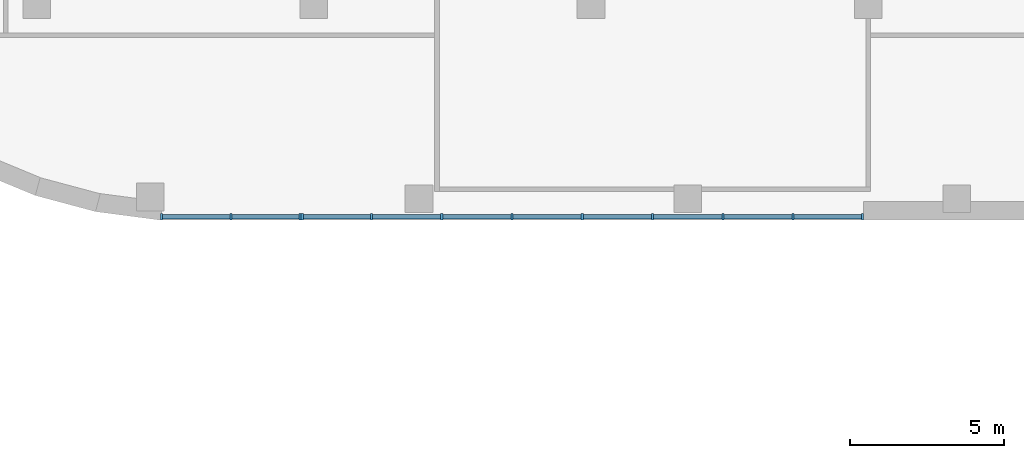
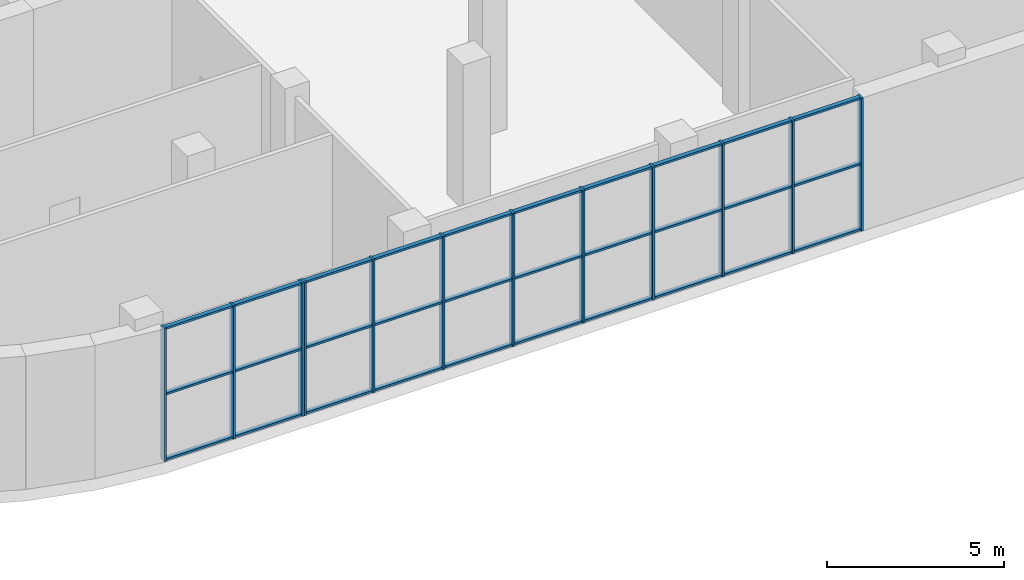
# One storey, part 6 of 25: 42 members, 2 elements without a shape of their own.
"""IFC4 building model written with IfcOpenShell, lengths in metres."""

from ifc_helpers import new_model, si_unit, direction, frame, origin, origin_2d, place, context, subcontext, project, spatial, rectangle, extrude, material, material_profile, profile_set, type_object, element, aggregate, save


model = new_model("IFC4")

# Units and contexts
model_context = context("Model", 3, precision=1e-05, world=origin(), true_north=direction((0.0, 1.0)))
body_context = subcontext(model_context, "Body", "Model", "MODEL_VIEW")
ifc_project = project(units=[si_unit("LENGTHUNIT", "METRE"), si_unit("AREAUNIT", "SQUARE_METRE"), si_unit("VOLUMEUNIT", "CUBIC_METRE"), si_unit("PLANEANGLEUNIT", "RADIAN"), si_unit("MASSUNIT", "GRAM", prefix="KILO")], contexts=[model_context])

# Site, building, storey
site_placement = place(None, origin())
site = spatial("IfcSite", under=ifc_project, at=site_placement, CompositionType="ELEMENT")
building_placement = place(site_placement, origin())
building = spatial("IfcBuilding", under=site, at=building_placement, Name="Skarvind Civic Tower", CompositionType="ELEMENT")
storey_placement = place(building_placement, frame((0.0, 0.0, 7.5)))
storey = spatial("IfcBuildingStorey", under=building, at=storey_placement, Name="L01", CompositionType="ELEMENT", Elevation=7.5)

# Curtain wall, members
ifc_material_1 = material(Name="Aluminium alloy 6063 and laminated glass", Category="aluminium")
curtain_wall_type = type_object("IfcCurtainWallType", Name="CW6 COMPANION TOWER LOBBY GLAZING", PredefinedType="NOTDEFINED", material=ifc_material_1)
curtain_wall_1_placement = place(storey_placement, origin())
curtain_wall_1 = element("IfcCurtainWall", 1, at=curtain_wall_1_placement, inside=storey, type_object=curtain_wall_type, Name="COMPANION TOWER LOBBY GLAZING", PredefinedType="NOTDEFINED")
ifc_material_2 = material(Name="Aluminium alloy 6063", Category="aluminium")
ifc_material_profile_1 = material_profile(ifc_material_2, rectangle(XDim=0.219970703125, YDim=0.070068359375, at=origin_2d()), Name="AL 70x220")
ifc_profile_set_1 = profile_set([ifc_material_profile_1], Name="Aluminium alloy 6063")
member_type_1 = type_object("IfcMemberType", Name="CW6 MULLION 70x220", PredefinedType="MULLION", material=ifc_profile_set_1)
member_1_placement = place(storey_placement, frame((153.812744140625, 102.110107421875, 0.0), z_axis=(0.0, 0.0, 1.0), x_axis=(0.0, -1.0, 0.0)))
member_1 = element("IfcMember", 2, at=member_1_placement, type_object=member_type_1, Name="CW6 mullion 1", PredefinedType="MULLION", context=body_context, shape_type="SweptSolid", body=[
    extrude(rectangle(XDim=0.219970703125, YDim=0.070068359375, at=origin_2d()), origin(), (0.0, 0.0, 1.0), 4.60009765625),
])
member_2_placement = place(storey_placement, frame((151.565185546875, 102.110107421875, 0.0), z_axis=(0.0, 0.0, 1.0), x_axis=(0.0, -1.0, 0.0)))
member_2 = element("IfcMember", 3, at=member_2_placement, type_object=member_type_1, Name="CW6 mullion 2", PredefinedType="MULLION", context=body_context, shape_type="SweptSolid", body=[
    extrude(rectangle(XDim=0.219970703125, YDim=0.070068359375, at=origin_2d()), origin(), (0.0, 0.0, 1.0), 4.60009765625),
])
member_3_placement = place(storey_placement, frame((149.28271484375, 102.110107421875, 0.0), z_axis=(0.0, 0.0, 1.0), x_axis=(0.0, -1.0, 0.0)))
member_3 = element("IfcMember", 4, at=member_3_placement, type_object=member_type_1, Name="CW6 mullion 3", PredefinedType="MULLION", context=body_context, shape_type="SweptSolid", body=[
    extrude(rectangle(XDim=0.219970703125, YDim=0.070068359375, at=origin_2d()), origin(), (0.0, 0.0, 1.0), 4.60009765625),
])
member_4_placement = place(storey_placement, frame((147.0, 102.110107421875, 0.0), z_axis=(0.0, 0.0, 1.0), x_axis=(0.0, -1.0, 0.0)))
member_4 = element("IfcMember", 5, at=member_4_placement, type_object=member_type_1, Name="CW6 mullion 4", PredefinedType="MULLION", context=body_context, shape_type="SweptSolid", body=[
    extrude(rectangle(XDim=0.219970703125, YDim=0.070068359375, at=origin_2d()), origin(), (0.0, 0.0, 1.0), 4.60009765625),
])
member_5_placement = place(storey_placement, frame((144.71728515625, 102.110107421875, 0.0), z_axis=(0.0, 0.0, 1.0), x_axis=(0.0, -1.0, 0.0)))
member_5 = element("IfcMember", 6, at=member_5_placement, type_object=member_type_1, Name="CW6 mullion 5", PredefinedType="MULLION", context=body_context, shape_type="SweptSolid", body=[
    extrude(rectangle(XDim=0.219970703125, YDim=0.070068359375, at=origin_2d()), origin(), (0.0, 0.0, 1.0), 4.60009765625),
])
member_6_placement = place(storey_placement, frame((142.434814453125, 102.110107421875, 0.0), z_axis=(0.0, 0.0, 1.0), x_axis=(0.0, -1.0, 0.0)))
member_6 = element("IfcMember", 7, at=member_6_placement, type_object=member_type_1, Name="CW6 mullion 6", PredefinedType="MULLION", context=body_context, shape_type="SweptSolid", body=[
    extrude(rectangle(XDim=0.219970703125, YDim=0.070068359375, at=origin_2d()), origin(), (0.0, 0.0, 1.0), 4.60009765625),
])
member_7_placement = place(storey_placement, frame((140.152099609375, 102.110107421875, 0.0), z_axis=(0.0, 0.0, 1.0), x_axis=(0.0, -1.0, 0.0)))
member_7 = element("IfcMember", 8, at=member_7_placement, type_object=member_type_1, Name="CW6 mullion 7", PredefinedType="MULLION", context=body_context, shape_type="SweptSolid", body=[
    extrude(rectangle(XDim=0.219970703125, YDim=0.070068359375, at=origin_2d()), origin(), (0.0, 0.0, 1.0), 4.60009765625),
])
member_8_placement = place(storey_placement, frame((137.86962890625, 102.110107421875, 0.0), z_axis=(0.0, 0.0, 1.0), x_axis=(0.0, -1.0, 0.0)))
member_8 = element("IfcMember", 9, at=member_8_placement, type_object=member_type_1, Name="CW6 mullion 8", PredefinedType="MULLION", context=body_context, shape_type="SweptSolid", body=[
    extrude(rectangle(XDim=0.219970703125, YDim=0.070068359375, at=origin_2d()), origin(), (0.0, 0.0, 1.0), 4.60009765625),
])
member_9_placement = place(storey_placement, frame((135.6220703125, 102.110107421875, 0.0), z_axis=(0.0, 0.0, 1.0), x_axis=(0.0, -1.0, 0.0)))
member_9 = element("IfcMember", 10, at=member_9_placement, type_object=member_type_1, Name="CW6 mullion 9", PredefinedType="MULLION", context=body_context, shape_type="SweptSolid", body=[
    extrude(rectangle(XDim=0.219970703125, YDim=0.070068359375, at=origin_2d()), origin(), (0.0, 0.0, 1.0), 4.60009765625),
])

curtain_wall_2_placement = place(storey_placement, origin())
curtain_wall_2 = element("IfcCurtainWall", 11, at=curtain_wall_2_placement, inside=storey, type_object=curtain_wall_type, Name="COMPANION TOWER LOBBY GLAZING", PredefinedType="NOTDEFINED")
member_10_placement = place(storey_placement, frame((135.552001953125, 102.110107421875, 0.0), z_axis=(0.0, 0.0, 1.0), x_axis=(0.0, -1.0, 0.0)))
member_10 = element("IfcMember", 12, at=member_10_placement, type_object=member_type_1, Name="CW6 mullion 1", PredefinedType="MULLION", context=body_context, shape_type="SweptSolid", body=[
    extrude(rectangle(XDim=0.219970703125, YDim=0.070068359375, at=origin_2d()), origin(), (0.0, 0.0, 1.0), 4.60009765625),
])
member_11_placement = place(storey_placement, frame((133.304443359375, 102.110107421875, 0.0), z_axis=(0.0, 0.0, 1.0), x_axis=(0.0, -1.0, 0.0)))
member_11 = element("IfcMember", 13, at=member_11_placement, type_object=member_type_1, Name="CW6 mullion 2", PredefinedType="MULLION", context=body_context, shape_type="SweptSolid", body=[
    extrude(rectangle(XDim=0.219970703125, YDim=0.070068359375, at=origin_2d()), origin(), (0.0, 0.0, 1.0), 4.60009765625),
])
member_12_placement = place(storey_placement, frame((131.056884765625, 102.110107421875, 0.0), z_axis=(0.0, 0.0, 1.0), x_axis=(0.0, -1.0, 0.0)))
member_12 = element("IfcMember", 14, at=member_12_placement, type_object=member_type_1, Name="CW6 mullion 3", PredefinedType="MULLION", context=body_context, shape_type="SweptSolid", body=[
    extrude(rectangle(XDim=0.219970703125, YDim=0.070068359375, at=origin_2d()), origin(), (0.0, 0.0, 1.0), 4.60009765625),
])

# Member
ifc_material_profile_2 = material_profile(ifc_material_2, rectangle(XDim=0.139892578125, YDim=0.070068359375, at=origin_2d()), Name="AL 70x140")
ifc_profile_set_2 = profile_set([ifc_material_profile_2], Name="Aluminium alloy 6063")
member_type_2 = type_object("IfcMemberType", Name="CW6 TRANSOM 70x140", PredefinedType="USERDEFINED", material=ifc_profile_set_2)
member_13_placement = place(storey_placement, frame((153.77783203125, 102.110107421875, 0.034912109375), z_axis=(-1.0, 0.0, 0.0), x_axis=(0.0, -1.0, 0.0)))
member_13 = element("IfcMember", 15, at=member_13_placement, type_object=member_type_2, Name="CW6 transom 1.1", ObjectType="TRANSOM", PredefinedType="USERDEFINED", context=body_context, shape_type="SweptSolid", body=[
    extrude(rectangle(XDim=0.139892578125, YDim=0.070068359375, at=origin_2d()), origin(), (0.0, 0.0, 1.0), 2.177734375),
])

member_14_placement = place(storey_placement, frame((153.77783203125, 102.110107421875, 2.300048828125), z_axis=(-1.0, 0.0, 0.0), x_axis=(0.0, -1.0, 0.0)))
member_14 = element("IfcMember", 16, at=member_14_placement, type_object=member_type_2, Name="CW6 transom 1.2", ObjectType="TRANSOM", PredefinedType="USERDEFINED", context=body_context, shape_type="SweptSolid", body=[
    extrude(rectangle(XDim=0.139892578125, YDim=0.070068359375, at=origin_2d()), origin(), (0.0, 0.0, 1.0), 2.177734375),
])

member_15_placement = place(storey_placement, frame((153.77783203125, 102.110107421875, 4.56494140625), z_axis=(-1.0, 0.0, 0.0), x_axis=(0.0, -1.0, 0.0)))
member_15 = element("IfcMember", 17, at=member_15_placement, type_object=member_type_2, Name="CW6 transom 1.3", ObjectType="TRANSOM", PredefinedType="USERDEFINED", context=body_context, shape_type="SweptSolid", body=[
    extrude(rectangle(XDim=0.139892578125, YDim=0.070068359375, at=origin_2d()), origin(), (0.0, 0.0, 1.0), 2.177734375),
])

member_16_placement = place(storey_placement, frame((151.5302734375, 102.110107421875, 0.034912109375), z_axis=(-1.0, 0.0, 0.0), x_axis=(0.0, -1.0, 0.0)))
member_16 = element("IfcMember", 18, at=member_16_placement, type_object=member_type_2, Name="CW6 transom 2.1", ObjectType="TRANSOM", PredefinedType="USERDEFINED", context=body_context, shape_type="SweptSolid", body=[
    extrude(rectangle(XDim=0.139892578125, YDim=0.070068359375, at=origin_2d()), origin(), (0.0, 0.0, 1.0), 2.212646484375),
])

member_17_placement = place(storey_placement, frame((151.5302734375, 102.110107421875, 2.300048828125), z_axis=(-1.0, 0.0, 0.0), x_axis=(0.0, -1.0, 0.0)))
member_17 = element("IfcMember", 19, at=member_17_placement, type_object=member_type_2, Name="CW6 transom 2.2", ObjectType="TRANSOM", PredefinedType="USERDEFINED", context=body_context, shape_type="SweptSolid", body=[
    extrude(rectangle(XDim=0.139892578125, YDim=0.070068359375, at=origin_2d()), origin(), (0.0, 0.0, 1.0), 2.212646484375),
])

member_18_placement = place(storey_placement, frame((151.5302734375, 102.110107421875, 4.56494140625), z_axis=(-1.0, 0.0, 0.0), x_axis=(0.0, -1.0, 0.0)))
member_18 = element("IfcMember", 20, at=member_18_placement, type_object=member_type_2, Name="CW6 transom 2.3", ObjectType="TRANSOM", PredefinedType="USERDEFINED", context=body_context, shape_type="SweptSolid", body=[
    extrude(rectangle(XDim=0.139892578125, YDim=0.070068359375, at=origin_2d()), origin(), (0.0, 0.0, 1.0), 2.212646484375),
])

member_19_placement = place(storey_placement, frame((149.24755859375, 102.110107421875, 0.034912109375), z_axis=(-1.0, 0.0, 0.0), x_axis=(0.0, -1.0, 0.0)))
member_19 = element("IfcMember", 21, at=member_19_placement, type_object=member_type_2, Name="CW6 transom 3.1", ObjectType="TRANSOM", PredefinedType="USERDEFINED", context=body_context, shape_type="SweptSolid", body=[
    extrude(rectangle(XDim=0.139892578125, YDim=0.070068359375, at=origin_2d()), origin(), (0.0, 0.0, 1.0), 2.212646484375),
])

member_20_placement = place(storey_placement, frame((149.24755859375, 102.110107421875, 2.300048828125), z_axis=(-1.0, 0.0, 0.0), x_axis=(0.0, -1.0, 0.0)))
member_20 = element("IfcMember", 22, at=member_20_placement, type_object=member_type_2, Name="CW6 transom 3.2", ObjectType="TRANSOM", PredefinedType="USERDEFINED", context=body_context, shape_type="SweptSolid", body=[
    extrude(rectangle(XDim=0.139892578125, YDim=0.070068359375, at=origin_2d()), origin(), (0.0, 0.0, 1.0), 2.212646484375),
])

member_21_placement = place(storey_placement, frame((149.24755859375, 102.110107421875, 4.56494140625), z_axis=(-1.0, 0.0, 0.0), x_axis=(0.0, -1.0, 0.0)))
member_21 = element("IfcMember", 23, at=member_21_placement, type_object=member_type_2, Name="CW6 transom 3.3", ObjectType="TRANSOM", PredefinedType="USERDEFINED", context=body_context, shape_type="SweptSolid", body=[
    extrude(rectangle(XDim=0.139892578125, YDim=0.070068359375, at=origin_2d()), origin(), (0.0, 0.0, 1.0), 2.212646484375),
])

member_22_placement = place(storey_placement, frame((146.965087890625, 102.110107421875, 0.034912109375), z_axis=(-1.0, 0.0, 0.0), x_axis=(0.0, -1.0, 0.0)))
member_22 = element("IfcMember", 24, at=member_22_placement, type_object=member_type_2, Name="CW6 transom 4.1", ObjectType="TRANSOM", PredefinedType="USERDEFINED", context=body_context, shape_type="SweptSolid", body=[
    extrude(rectangle(XDim=0.139892578125, YDim=0.070068359375, at=origin_2d()), origin(), (0.0, 0.0, 1.0), 2.212646484375),
])

member_23_placement = place(storey_placement, frame((146.965087890625, 102.110107421875, 2.300048828125), z_axis=(-1.0, 0.0, 0.0), x_axis=(0.0, -1.0, 0.0)))
member_23 = element("IfcMember", 25, at=member_23_placement, type_object=member_type_2, Name="CW6 transom 4.2", ObjectType="TRANSOM", PredefinedType="USERDEFINED", context=body_context, shape_type="SweptSolid", body=[
    extrude(rectangle(XDim=0.139892578125, YDim=0.070068359375, at=origin_2d()), origin(), (0.0, 0.0, 1.0), 2.212646484375),
])

member_24_placement = place(storey_placement, frame((146.965087890625, 102.110107421875, 4.56494140625), z_axis=(-1.0, 0.0, 0.0), x_axis=(0.0, -1.0, 0.0)))
member_24 = element("IfcMember", 26, at=member_24_placement, type_object=member_type_2, Name="CW6 transom 4.3", ObjectType="TRANSOM", PredefinedType="USERDEFINED", context=body_context, shape_type="SweptSolid", body=[
    extrude(rectangle(XDim=0.139892578125, YDim=0.070068359375, at=origin_2d()), origin(), (0.0, 0.0, 1.0), 2.212646484375),
])

member_25_placement = place(storey_placement, frame((144.682373046875, 102.110107421875, 0.034912109375), z_axis=(-1.0, 0.0, 0.0), x_axis=(0.0, -1.0, 0.0)))
member_25 = element("IfcMember", 27, at=member_25_placement, type_object=member_type_2, Name="CW6 transom 5.1", ObjectType="TRANSOM", PredefinedType="USERDEFINED", context=body_context, shape_type="SweptSolid", body=[
    extrude(rectangle(XDim=0.139892578125, YDim=0.070068359375, at=origin_2d()), origin(), (0.0, 0.0, 1.0), 2.212646484375),
])

member_26_placement = place(storey_placement, frame((144.682373046875, 102.110107421875, 2.300048828125), z_axis=(-1.0, 0.0, 0.0), x_axis=(0.0, -1.0, 0.0)))
member_26 = element("IfcMember", 28, at=member_26_placement, type_object=member_type_2, Name="CW6 transom 5.2", ObjectType="TRANSOM", PredefinedType="USERDEFINED", context=body_context, shape_type="SweptSolid", body=[
    extrude(rectangle(XDim=0.139892578125, YDim=0.070068359375, at=origin_2d()), origin(), (0.0, 0.0, 1.0), 2.212646484375),
])

member_27_placement = place(storey_placement, frame((144.682373046875, 102.110107421875, 4.56494140625), z_axis=(-1.0, 0.0, 0.0), x_axis=(0.0, -1.0, 0.0)))
member_27 = element("IfcMember", 29, at=member_27_placement, type_object=member_type_2, Name="CW6 transom 5.3", ObjectType="TRANSOM", PredefinedType="USERDEFINED", context=body_context, shape_type="SweptSolid", body=[
    extrude(rectangle(XDim=0.139892578125, YDim=0.070068359375, at=origin_2d()), origin(), (0.0, 0.0, 1.0), 2.212646484375),
])

member_28_placement = place(storey_placement, frame((142.39990234375, 102.110107421875, 0.034912109375), z_axis=(-1.0, 0.0, 0.0), x_axis=(0.0, -1.0, 0.0)))
member_28 = element("IfcMember", 30, at=member_28_placement, type_object=member_type_2, Name="CW6 transom 6.1", ObjectType="TRANSOM", PredefinedType="USERDEFINED", context=body_context, shape_type="SweptSolid", body=[
    extrude(rectangle(XDim=0.139892578125, YDim=0.070068359375, at=origin_2d()), origin(), (0.0, 0.0, 1.0), 2.212646484375),
])

member_29_placement = place(storey_placement, frame((142.39990234375, 102.110107421875, 2.300048828125), z_axis=(-1.0, 0.0, 0.0), x_axis=(0.0, -1.0, 0.0)))
member_29 = element("IfcMember", 31, at=member_29_placement, type_object=member_type_2, Name="CW6 transom 6.2", ObjectType="TRANSOM", PredefinedType="USERDEFINED", context=body_context, shape_type="SweptSolid", body=[
    extrude(rectangle(XDim=0.139892578125, YDim=0.070068359375, at=origin_2d()), origin(), (0.0, 0.0, 1.0), 2.212646484375),
])

member_30_placement = place(storey_placement, frame((142.39990234375, 102.110107421875, 4.56494140625), z_axis=(-1.0, 0.0, 0.0), x_axis=(0.0, -1.0, 0.0)))
member_30 = element("IfcMember", 32, at=member_30_placement, type_object=member_type_2, Name="CW6 transom 6.3", ObjectType="TRANSOM", PredefinedType="USERDEFINED", context=body_context, shape_type="SweptSolid", body=[
    extrude(rectangle(XDim=0.139892578125, YDim=0.070068359375, at=origin_2d()), origin(), (0.0, 0.0, 1.0), 2.212646484375),
])

member_31_placement = place(storey_placement, frame((140.1171875, 102.110107421875, 0.034912109375), z_axis=(-1.0, 0.0, 0.0), x_axis=(0.0, -1.0, 0.0)))
member_31 = element("IfcMember", 33, at=member_31_placement, type_object=member_type_2, Name="CW6 transom 7.1", ObjectType="TRANSOM", PredefinedType="USERDEFINED", context=body_context, shape_type="SweptSolid", body=[
    extrude(rectangle(XDim=0.139892578125, YDim=0.070068359375, at=origin_2d()), origin(), (0.0, 0.0, 1.0), 2.212646484375),
])

member_32_placement = place(storey_placement, frame((140.1171875, 102.110107421875, 2.300048828125), z_axis=(-1.0, 0.0, 0.0), x_axis=(0.0, -1.0, 0.0)))
member_32 = element("IfcMember", 34, at=member_32_placement, type_object=member_type_2, Name="CW6 transom 7.2", ObjectType="TRANSOM", PredefinedType="USERDEFINED", context=body_context, shape_type="SweptSolid", body=[
    extrude(rectangle(XDim=0.139892578125, YDim=0.070068359375, at=origin_2d()), origin(), (0.0, 0.0, 1.0), 2.212646484375),
])

member_33_placement = place(storey_placement, frame((140.1171875, 102.110107421875, 4.56494140625), z_axis=(-1.0, 0.0, 0.0), x_axis=(0.0, -1.0, 0.0)))
member_33 = element("IfcMember", 35, at=member_33_placement, type_object=member_type_2, Name="CW6 transom 7.3", ObjectType="TRANSOM", PredefinedType="USERDEFINED", context=body_context, shape_type="SweptSolid", body=[
    extrude(rectangle(XDim=0.139892578125, YDim=0.070068359375, at=origin_2d()), origin(), (0.0, 0.0, 1.0), 2.212646484375),
])

member_34_placement = place(storey_placement, frame((137.834716796875, 102.110107421875, 0.034912109375), z_axis=(-1.0, 0.0, 0.0), x_axis=(0.0, -1.0, 0.0)))
member_34 = element("IfcMember", 36, at=member_34_placement, type_object=member_type_2, Name="CW6 transom 8.1", ObjectType="TRANSOM", PredefinedType="USERDEFINED", context=body_context, shape_type="SweptSolid", body=[
    extrude(rectangle(XDim=0.139892578125, YDim=0.070068359375, at=origin_2d()), origin(), (0.0, 0.0, 1.0), 2.177734375),
])

member_35_placement = place(storey_placement, frame((137.834716796875, 102.110107421875, 2.300048828125), z_axis=(-1.0, 0.0, 0.0), x_axis=(0.0, -1.0, 0.0)))
member_35 = element("IfcMember", 37, at=member_35_placement, type_object=member_type_2, Name="CW6 transom 8.2", ObjectType="TRANSOM", PredefinedType="USERDEFINED", context=body_context, shape_type="SweptSolid", body=[
    extrude(rectangle(XDim=0.139892578125, YDim=0.070068359375, at=origin_2d()), origin(), (0.0, 0.0, 1.0), 2.177734375),
])

member_36_placement = place(storey_placement, frame((137.834716796875, 102.110107421875, 4.56494140625), z_axis=(-1.0, 0.0, 0.0), x_axis=(0.0, -1.0, 0.0)))
member_36 = element("IfcMember", 38, at=member_36_placement, type_object=member_type_2, Name="CW6 transom 8.3", ObjectType="TRANSOM", PredefinedType="USERDEFINED", context=body_context, shape_type="SweptSolid", body=[
    extrude(rectangle(XDim=0.139892578125, YDim=0.070068359375, at=origin_2d()), origin(), (0.0, 0.0, 1.0), 2.177734375),
])

aggregate(curtain_wall_1, [member_1, member_2, member_3, member_4, member_5, member_6, member_7, member_8, member_9, member_13, member_14, member_15, member_16, member_17, member_18, member_19, member_20, member_21, member_22, member_23, member_24, member_25, member_26, member_27, member_28, member_29, member_30, member_31, member_32, member_33, member_34, member_35, member_36])

member_37_placement = place(storey_placement, frame((135.51708984375, 102.110107421875, 0.034912109375), z_axis=(-1.0, 0.0, 0.0), x_axis=(0.0, -1.0, 0.0)))
member_37 = element("IfcMember", 39, at=member_37_placement, type_object=member_type_2, Name="CW6 transom 1.1", ObjectType="TRANSOM", PredefinedType="USERDEFINED", context=body_context, shape_type="SweptSolid", body=[
    extrude(rectangle(XDim=0.139892578125, YDim=0.070068359375, at=origin_2d()), origin(), (0.0, 0.0, 1.0), 2.177734375),
])

member_38_placement = place(storey_placement, frame((135.51708984375, 102.110107421875, 2.300048828125), z_axis=(-1.0, 0.0, 0.0), x_axis=(0.0, -1.0, 0.0)))
member_38 = element("IfcMember", 40, at=member_38_placement, type_object=member_type_2, Name="CW6 transom 1.2", ObjectType="TRANSOM", PredefinedType="USERDEFINED", context=body_context, shape_type="SweptSolid", body=[
    extrude(rectangle(XDim=0.139892578125, YDim=0.070068359375, at=origin_2d()), origin(), (0.0, 0.0, 1.0), 2.177734375),
])

member_39_placement = place(storey_placement, frame((135.51708984375, 102.110107421875, 4.56494140625), z_axis=(-1.0, 0.0, 0.0), x_axis=(0.0, -1.0, 0.0)))
member_39 = element("IfcMember", 41, at=member_39_placement, type_object=member_type_2, Name="CW6 transom 1.3", ObjectType="TRANSOM", PredefinedType="USERDEFINED", context=body_context, shape_type="SweptSolid", body=[
    extrude(rectangle(XDim=0.139892578125, YDim=0.070068359375, at=origin_2d()), origin(), (0.0, 0.0, 1.0), 2.177734375),
])

member_40_placement = place(storey_placement, frame((133.269287109375, 102.110107421875, 0.034912109375), z_axis=(-1.0, 0.0, 0.0), x_axis=(0.0, -1.0, 0.0)))
member_40 = element("IfcMember", 42, at=member_40_placement, type_object=member_type_2, Name="CW6 transom 2.1", ObjectType="TRANSOM", PredefinedType="USERDEFINED", context=body_context, shape_type="SweptSolid", body=[
    extrude(rectangle(XDim=0.139892578125, YDim=0.070068359375, at=origin_2d()), origin(), (0.0, 0.0, 1.0), 2.177490234375),
])

member_41_placement = place(storey_placement, frame((133.269287109375, 102.110107421875, 2.300048828125), z_axis=(-1.0, 0.0, 0.0), x_axis=(0.0, -1.0, 0.0)))
member_41 = element("IfcMember", 43, at=member_41_placement, type_object=member_type_2, Name="CW6 transom 2.2", ObjectType="TRANSOM", PredefinedType="USERDEFINED", context=body_context, shape_type="SweptSolid", body=[
    extrude(rectangle(XDim=0.139892578125, YDim=0.070068359375, at=origin_2d()), origin(), (0.0, 0.0, 1.0), 2.177490234375),
])

member_42_placement = place(storey_placement, frame((133.269287109375, 102.110107421875, 4.56494140625), z_axis=(-1.0, 0.0, 0.0), x_axis=(0.0, -1.0, 0.0)))
member_42 = element("IfcMember", 44, at=member_42_placement, type_object=member_type_2, Name="CW6 transom 2.3", ObjectType="TRANSOM", PredefinedType="USERDEFINED", context=body_context, shape_type="SweptSolid", body=[
    extrude(rectangle(XDim=0.139892578125, YDim=0.070068359375, at=origin_2d()), origin(), (0.0, 0.0, 1.0), 2.177490234375),
])

aggregate(curtain_wall_2, [member_10, member_11, member_12, member_37, member_38, member_39, member_40, member_41, member_42])

save(model, "model.ifc")
